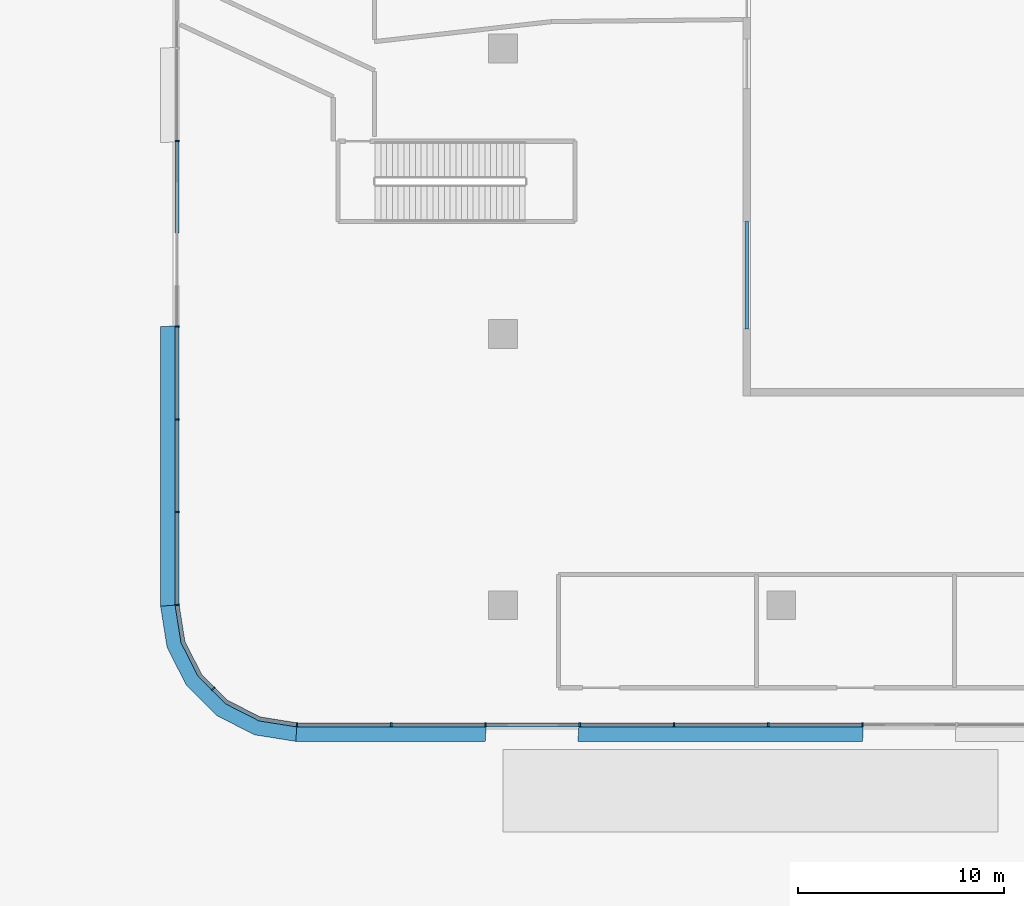
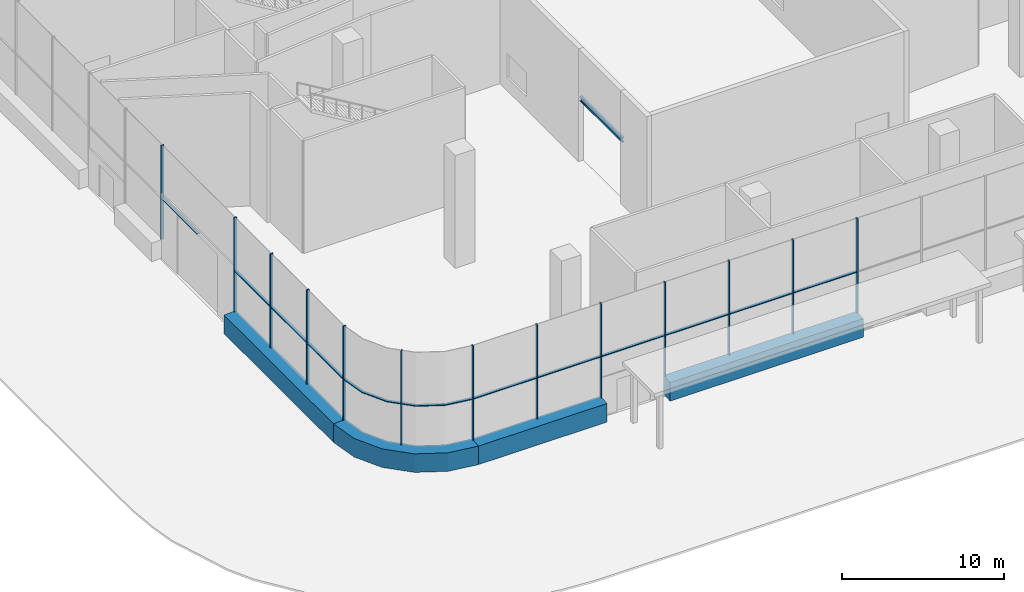
# One storey, part 2 of 54: 29 members, 1 beam, 3 elements without a shape of their own.
"""IFC4 building model written with IfcOpenShell, lengths in metres."""

from ifc_helpers import new_model, si_unit, direction, frame, origin, origin_2d, place, context, subcontext, project, spatial, polyline, rectangle, i_section, outline, extrude, material, layer, layer_set, material_profile, profile_set, type_object, element, aggregate, save


model = new_model("IFC4")

# Units and contexts
model_context = context("Model", 3, precision=1e-05, world=origin(), true_north=direction((0.0, 1.0)))
body_context = subcontext(model_context, "Body", "Model", "MODEL_VIEW")
ifc_project = project(units=[si_unit("LENGTHUNIT", "METRE"), si_unit("AREAUNIT", "SQUARE_METRE"), si_unit("VOLUMEUNIT", "CUBIC_METRE"), si_unit("PLANEANGLEUNIT", "RADIAN"), si_unit("MASSUNIT", "GRAM", prefix="KILO")], contexts=[model_context])

# Site, building, storey
site_placement = place(None, origin())
site = spatial("IfcSite", under=ifc_project, at=site_placement, CompositionType="ELEMENT")
building_placement = place(site_placement, origin())
building = spatial("IfcBuilding", under=site, at=building_placement, Name="Tamarind Cross Interchange Tower", CompositionType="ELEMENT")
storey_placement = place(building_placement, origin())
storey = spatial("IfcBuildingStorey", under=building, at=storey_placement, Name="L00", CompositionType="ELEMENT", Elevation=0.0)

# Curtain wall, member
ifc_material_1 = material(Name="Aluminium 6063-T6", Category="aluminium")
ifc_layer = layer(ifc_material_1, 0.199951171875)
ifc_layer_set = layer_set([ifc_layer], Name="Aluminium 6063-T6")
curtain_wall_type = type_object("IfcCurtainWallType", Name="Podium shopfront and station curtain wall", PredefinedType="NOTDEFINED", material=ifc_layer_set)
curtain_wall_1_placement = place(storey_placement, origin())
curtain_wall_1 = element("IfcCurtainWall", 1, at=curtain_wall_1_placement, inside=storey, type_object=curtain_wall_type, Name="CWS-L00-04", PredefinedType="NOTDEFINED")
ifc_material_2 = material(Name="Aluminium and insulated spandrel panel", Category="aluminium")
member_type_1 = type_object("IfcMemberType", Name="Floor-edge blade transom", PredefinedType="USERDEFINED", material=ifc_material_2)
member_1_placement = place(storey_placement, origin())
member_1 = element("IfcMember", 2, at=member_1_placement, type_object=member_type_1, Name="CWT-L00-04-7", ObjectType="TRANSOM", PredefinedType="USERDEFINED", context=body_context, shape_type="SweptSolid", body=[
    extrude(outline(polyline([(-69.699951171875, -40.4423828125), (-69.699951171875, -53.976318359375), (-70.60009765625, -54.047119140625), (-70.60009765625, -40.495361328125), (-69.699951171875, -40.4423828125)])), origin(), (0.0, 0.0, 1.0), 1.39990234375),
])

curtain_wall_2_placement = place(storey_placement, origin())
curtain_wall_2 = element("IfcCurtainWall", 3, at=curtain_wall_2_placement, inside=storey, type_object=curtain_wall_type, Name="CWS-L00-05", PredefinedType="NOTDEFINED")
member_2_placement = place(storey_placement, origin())
member_2 = element("IfcMember", 4, at=member_2_placement, type_object=member_type_1, Name="CWT-L00-05", ObjectType="TRANSOM", PredefinedType="USERDEFINED", context=body_context, shape_type="SweptSolid", body=[
    extrude(outline(polyline([(-69.699951171875, -53.976318359375), (-69.41748046875, -55.76025390625), (-68.6083984375, -57.34814453125), (-67.34814453125, -58.6083984375), (-65.76025390625, -59.41748046875), (-63.976318359375, -59.699951171875), (-64.047119140625, -60.60009765625), (-66.041748046875, -60.2841796875), (-67.8837890625, -59.345458984375), (-69.345458984375, -57.8837890625), (-70.2841796875, -56.041748046875), (-70.60009765625, -54.047119140625), (-69.699951171875, -53.976318359375)])), origin(), (0.0, 0.0, 1.0), 1.39990234375),
])

# Curtain wall, members
curtain_wall_3_placement = place(storey_placement, origin())
curtain_wall_3 = element("IfcCurtainWall", 5, at=curtain_wall_3_placement, inside=storey, type_object=curtain_wall_type, Name="CWS-L00-06", PredefinedType="NOTDEFINED")
member_3_placement = place(storey_placement, origin())
member_3 = element("IfcMember", 6, at=member_3_placement, type_object=member_type_1, Name="CWT-L00-06-0", ObjectType="TRANSOM", PredefinedType="USERDEFINED", context=body_context, shape_type="SweptSolid", body=[
    extrude(outline(polyline([(-63.976318359375, -59.699951171875), (-54.796875, -59.699951171875), (-54.857666015625, -60.60009765625), (-64.047119140625, -60.60009765625), (-63.976318359375, -59.699951171875)])), origin(), (0.0, 0.0, 1.0), 1.39990234375),
])
member_4_placement = place(storey_placement, origin())
member_4 = element("IfcMember", 7, at=member_4_placement, type_object=member_type_1, Name="CWT-L00-06-1", ObjectType="TRANSOM", PredefinedType="USERDEFINED", context=body_context, shape_type="SweptSolid", body=[
    extrude(outline(polyline([(-50.30712890625, -59.699951171875), (-36.51806640625, -59.699951171875), (-36.558349609375, -60.60009765625), (-50.36279296875, -60.60009765625), (-50.30712890625, -59.699951171875)])), origin(), (0.0, 0.0, 1.0), 1.39990234375),
])

# Member
ifc_material_profile_1 = material_profile(ifc_material_1, rectangle(XDim=0.080078125, YDim=0.199951171875, at=origin_2d()), Name="Mullion CW3")
ifc_profile_set_1 = profile_set([ifc_material_profile_1], Name="Aluminium 6063-T6")
member_type_2 = type_object("IfcMemberType", Name="Mullion CW3", PredefinedType="MULLION", material=ifc_profile_set_1)
member_5_placement = place(storey_placement, frame((-69.800048828125, -31.49072265625, 1.39990234375), z_axis=(0.0, 0.0, 1.0), x_axis=(0.0, -1.0, 0.0)))
member_5 = element("IfcMember", 8, at=member_5_placement, type_object=member_type_2, Name="CWM-L00-04-19", PredefinedType="MULLION", context=body_context, shape_type="SweptSolid", body=[
    extrude(rectangle(XDim=0.080078125, YDim=0.199951171875, at=origin_2d()), origin(), (0.0, 0.0, 1.0), 7.10009765625),
])

member_6_placement = place(storey_placement, frame((-69.800048828125, -40.48828125, 1.39990234375), z_axis=(0.0, 0.0, 1.0), x_axis=(0.0, -1.0, 0.0)))
member_6 = element("IfcMember", 9, at=member_6_placement, type_object=member_type_2, Name="CWM-L00-04-21", PredefinedType="MULLION", context=body_context, shape_type="SweptSolid", body=[
    extrude(rectangle(XDim=0.080078125, YDim=0.199951171875, at=origin_2d()), origin(), (0.0, 0.0, 1.0), 7.10009765625),
])

member_7_placement = place(storey_placement, frame((-69.800048828125, -44.98681640625, 1.39990234375), z_axis=(0.0, 0.0, 1.0), x_axis=(0.0, -1.0, 0.0)))
member_7 = element("IfcMember", 10, at=member_7_placement, type_object=member_type_2, Name="CWM-L00-04-22", PredefinedType="MULLION", context=body_context, shape_type="SweptSolid", body=[
    extrude(rectangle(XDim=0.080078125, YDim=0.199951171875, at=origin_2d()), origin(), (0.0, 0.0, 1.0), 7.10009765625),
])

member_8_placement = place(storey_placement, frame((-69.800048828125, -49.485595703125, 1.39990234375), z_axis=(0.0, 0.0, 1.0), x_axis=(0.0, -1.0, 0.0)))
member_8 = element("IfcMember", 11, at=member_8_placement, type_object=member_type_2, Name="CWM-L00-04-23", PredefinedType="MULLION", context=body_context, shape_type="SweptSolid", body=[
    extrude(rectangle(XDim=0.080078125, YDim=0.199951171875, at=origin_2d()), origin(), (0.0, 0.0, 1.0), 7.10009765625),
])

member_9_placement = place(storey_placement, frame((-69.800048828125, -53.984375, 1.39990234375), z_axis=(0.0, 0.0, 1.0), x_axis=(0.078459095728, -0.996917333733, 0.0)))
member_9 = element("IfcMember", 12, at=member_9_placement, type_object=member_type_2, Name="CWM-L00-05-00", PredefinedType="MULLION", context=body_context, shape_type="SweptSolid", body=[
    extrude(rectangle(XDim=0.080078125, YDim=0.199951171875, at=origin_2d()), origin(), (0.0, 0.0, 1.0), 7.10009765625),
])

member_10_placement = place(storey_placement, frame((-68.049072265625, -58.049072265625, 1.39990234375), z_axis=(0.0, 0.0, 1.0), x_axis=(0.707106781187, -0.707106781187, 0.0)))
member_10 = element("IfcMember", 13, at=member_10_placement, type_object=member_type_2, Name="CWM-L00-05-01", PredefinedType="MULLION", context=body_context, shape_type="SweptSolid", body=[
    extrude(rectangle(XDim=0.080078125, YDim=0.199951171875, at=origin_2d()), origin(), (0.0, 0.0, 1.0), 7.10009765625),
])

member_11_placement = place(storey_placement, frame((-63.984375, -59.800048828125, 1.39990234375), z_axis=(0.0, 0.0, 1.0), x_axis=(0.996917333733, -0.078459095728, 0.0)))
member_11 = element("IfcMember", 14, at=member_11_placement, type_object=member_type_2, Name="CWM-L00-06-00", PredefinedType="MULLION", context=body_context, shape_type="SweptSolid", body=[
    extrude(rectangle(XDim=0.080078125, YDim=0.199951171875, at=origin_2d()), origin(), (0.0, 0.0, 1.0), 7.10009765625),
])

member_12_placement = place(storey_placement, frame((-59.4140625, -59.800048828125, 1.39990234375), z_axis=(0.0, 0.0, 1.0), x_axis=(1.0, 0.0, 0.0)))
member_12 = element("IfcMember", 15, at=member_12_placement, type_object=member_type_2, Name="CWM-L00-06-01", PredefinedType="MULLION", context=body_context, shape_type="SweptSolid", body=[
    extrude(rectangle(XDim=0.080078125, YDim=0.199951171875, at=origin_2d()), origin(), (0.0, 0.0, 1.0), 7.10009765625),
])

member_13_placement = place(storey_placement, frame((-54.84375, -59.800048828125, 1.39990234375), z_axis=(0.0, 0.0, 1.0), x_axis=(1.0, 0.0, 0.0)))
member_13 = element("IfcMember", 16, at=member_13_placement, type_object=member_type_2, Name="CWM-L00-06-02", PredefinedType="MULLION", context=body_context, shape_type="SweptSolid", body=[
    extrude(rectangle(XDim=0.080078125, YDim=0.199951171875, at=origin_2d()), origin(), (0.0, 0.0, 1.0), 7.10009765625),
])

member_14_placement = place(storey_placement, frame((-50.2734375, -59.800048828125, 1.39990234375), z_axis=(0.0, 0.0, 1.0), x_axis=(1.0, 0.0, 0.0)))
member_14 = element("IfcMember", 17, at=member_14_placement, type_object=member_type_2, Name="CWM-L00-06-03", PredefinedType="MULLION", context=body_context, shape_type="SweptSolid", body=[
    extrude(rectangle(XDim=0.080078125, YDim=0.199951171875, at=origin_2d()), origin(), (0.0, 0.0, 1.0), 7.10009765625),
])

member_15_placement = place(storey_placement, frame((-45.703125, -59.800048828125, 1.39990234375), z_axis=(0.0, 0.0, 1.0), x_axis=(1.0, 0.0, 0.0)))
member_15 = element("IfcMember", 18, at=member_15_placement, type_object=member_type_2, Name="CWM-L00-06-04", PredefinedType="MULLION", context=body_context, shape_type="SweptSolid", body=[
    extrude(rectangle(XDim=0.080078125, YDim=0.199951171875, at=origin_2d()), origin(), (0.0, 0.0, 1.0), 7.10009765625),
])

member_16_placement = place(storey_placement, frame((-41.1328125, -59.800048828125, 1.39990234375), z_axis=(0.0, 0.0, 1.0), x_axis=(1.0, 0.0, 0.0)))
member_16 = element("IfcMember", 19, at=member_16_placement, type_object=member_type_2, Name="CWM-L00-06-05", PredefinedType="MULLION", context=body_context, shape_type="SweptSolid", body=[
    extrude(rectangle(XDim=0.080078125, YDim=0.199951171875, at=origin_2d()), origin(), (0.0, 0.0, 1.0), 7.10009765625),
])

member_17_placement = place(storey_placement, frame((-36.5625, -59.800048828125, 1.39990234375), z_axis=(0.0, 0.0, 1.0), x_axis=(1.0, 0.0, 0.0)))
member_17 = element("IfcMember", 20, at=member_17_placement, type_object=member_type_2, Name="CWM-L00-06-06", PredefinedType="MULLION", context=body_context, shape_type="SweptSolid", body=[
    extrude(rectangle(XDim=0.080078125, YDim=0.199951171875, at=origin_2d()), origin(), (0.0, 0.0, 1.0), 7.10009765625),
])

member_type_3 = type_object("IfcMemberType", Name="Podium intermediate transom", PredefinedType="USERDEFINED", material=ifc_material_1)
member_18_placement = place(storey_placement, frame((0.0, 0.0, 4.469970703125)))
member_18 = element("IfcMember", 21, at=member_18_placement, type_object=member_type_3, Name="CWT-L00-04-I0-19", ObjectType="TRANSOM", PredefinedType="USERDEFINED", context=body_context, shape_type="SweptSolid", body=[
    extrude(outline(polyline([(-69.699951171875, -31.53076171875), (-69.699951171875, -35.949462890625), (-69.89990234375, -35.949462890625), (-69.89990234375, -31.53076171875), (-69.699951171875, -31.53076171875)])), origin(), (0.0, 0.0, 1.0), 0.06005859375),
])

member_19_placement = place(storey_placement, frame((0.0, 0.0, 4.469970703125)))
member_19 = element("IfcMember", 22, at=member_19_placement, type_object=member_type_3, Name="CWT-L00-04-I0-21", ObjectType="TRANSOM", PredefinedType="USERDEFINED", context=body_context, shape_type="SweptSolid", body=[
    extrude(outline(polyline([(-69.699951171875, -40.528076171875), (-69.699951171875, -44.94677734375), (-69.89990234375, -44.94677734375), (-69.89990234375, -40.528076171875), (-69.699951171875, -40.528076171875)])), origin(), (0.0, 0.0, 1.0), 0.06005859375),
])

member_20_placement = place(storey_placement, frame((0.0, 0.0, 4.469970703125)))
member_20 = element("IfcMember", 23, at=member_20_placement, type_object=member_type_3, Name="CWT-L00-04-I0-22", ObjectType="TRANSOM", PredefinedType="USERDEFINED", context=body_context, shape_type="SweptSolid", body=[
    extrude(outline(polyline([(-69.699951171875, -45.02685546875), (-69.699951171875, -49.445556640625), (-69.89990234375, -49.445556640625), (-69.89990234375, -45.02685546875), (-69.699951171875, -45.02685546875)])), origin(), (0.0, 0.0, 1.0), 0.06005859375),
])

member_21_placement = place(storey_placement, frame((0.0, 0.0, 4.469970703125)))
member_21 = element("IfcMember", 24, at=member_21_placement, type_object=member_type_3, Name="CWT-L00-04-I0-23", ObjectType="TRANSOM", PredefinedType="USERDEFINED", context=body_context, shape_type="SweptSolid", body=[
    extrude(outline(polyline([(-69.699951171875, -49.525634765625), (-69.699951171875, -53.9443359375), (-69.89990234375, -53.9443359375), (-69.89990234375, -49.525634765625), (-69.699951171875, -49.525634765625)])), origin(), (0.0, 0.0, 1.0), 0.06005859375),
])

aggregate(curtain_wall_1, [member_5, member_6, member_7, member_8, member_18, member_19, member_20, member_21, member_1])

member_22_placement = place(storey_placement, frame((0.0, 0.0, 4.469970703125)))
member_22 = element("IfcMember", 25, at=member_22_placement, type_object=member_type_3, Name="CWT-L00-05-I0-00", ObjectType="TRANSOM", PredefinedType="USERDEFINED", context=body_context, shape_type="SweptSolid", body=[
    extrude(outline(polyline([(-69.695068359375, -54.008056640625), (-69.41748046875, -55.76025390625), (-68.6083984375, -57.34814453125), (-68.006591796875, -57.949951171875), (-68.14794921875, -58.09130859375), (-68.772216796875, -57.46728515625), (-69.610107421875, -55.82275390625), (-69.892578125, -54.039306640625), (-69.695068359375, -54.008056640625)])), origin(), (0.0, 0.0, 1.0), 0.06005859375),
])

member_23_placement = place(storey_placement, frame((0.0, 0.0, 4.469970703125)))
member_23 = element("IfcMember", 26, at=member_23_placement, type_object=member_type_3, Name="CWT-L00-05-I0-01", ObjectType="TRANSOM", PredefinedType="USERDEFINED", context=body_context, shape_type="SweptSolid", body=[
    extrude(outline(polyline([(-67.949951171875, -58.006591796875), (-67.34814453125, -58.6083984375), (-65.76025390625, -59.41748046875), (-64.008056640625, -59.695068359375), (-64.039306640625, -59.892578125), (-65.82275390625, -59.610107421875), (-67.46728515625, -58.772216796875), (-68.09130859375, -58.14794921875), (-67.949951171875, -58.006591796875)])), origin(), (0.0, 0.0, 1.0), 0.06005859375),
])

aggregate(curtain_wall_2, [member_9, member_10, member_22, member_23, member_2])

member_24_placement = place(storey_placement, frame((0.0, 0.0, 4.469970703125)))
member_24 = element("IfcMember", 27, at=member_24_placement, type_object=member_type_3, Name="CWT-L00-06-I0-00", ObjectType="TRANSOM", PredefinedType="USERDEFINED", context=body_context, shape_type="SweptSolid", body=[
    extrude(outline(polyline([(-63.9443359375, -59.699951171875), (-59.453857421875, -59.699951171875), (-59.453857421875, -59.89990234375), (-63.9443359375, -59.89990234375), (-63.9443359375, -59.699951171875)])), origin(), (0.0, 0.0, 1.0), 0.06005859375),
])

member_25_placement = place(storey_placement, frame((0.0, 0.0, 4.469970703125)))
member_25 = element("IfcMember", 28, at=member_25_placement, type_object=member_type_3, Name="CWT-L00-06-I0-01", ObjectType="TRANSOM", PredefinedType="USERDEFINED", context=body_context, shape_type="SweptSolid", body=[
    extrude(outline(polyline([(-59.3740234375, -59.699951171875), (-54.883544921875, -59.699951171875), (-54.883544921875, -59.89990234375), (-59.3740234375, -59.89990234375), (-59.3740234375, -59.699951171875)])), origin(), (0.0, 0.0, 1.0), 0.06005859375),
])

member_26_placement = place(storey_placement, frame((0.0, 0.0, 4.469970703125)))
member_26 = element("IfcMember", 29, at=member_26_placement, type_object=member_type_3, Name="CWT-L00-06-I0-02", ObjectType="TRANSOM", PredefinedType="USERDEFINED", context=body_context, shape_type="SweptSolid", body=[
    extrude(outline(polyline([(-54.8037109375, -59.699951171875), (-50.313232421875, -59.699951171875), (-50.313232421875, -59.89990234375), (-54.8037109375, -59.89990234375), (-54.8037109375, -59.699951171875)])), origin(), (0.0, 0.0, 1.0), 0.06005859375),
])

member_27_placement = place(storey_placement, frame((0.0, 0.0, 4.469970703125)))
member_27 = element("IfcMember", 30, at=member_27_placement, type_object=member_type_3, Name="CWT-L00-06-I0-03", ObjectType="TRANSOM", PredefinedType="USERDEFINED", context=body_context, shape_type="SweptSolid", body=[
    extrude(outline(polyline([(-50.2333984375, -59.699951171875), (-45.7431640625, -59.699951171875), (-45.7431640625, -59.89990234375), (-50.2333984375, -59.89990234375), (-50.2333984375, -59.699951171875)])), origin(), (0.0, 0.0, 1.0), 0.06005859375),
])

member_28_placement = place(storey_placement, frame((0.0, 0.0, 4.469970703125)))
member_28 = element("IfcMember", 31, at=member_28_placement, type_object=member_type_3, Name="CWT-L00-06-I0-04", ObjectType="TRANSOM", PredefinedType="USERDEFINED", context=body_context, shape_type="SweptSolid", body=[
    extrude(outline(polyline([(-45.6630859375, -59.699951171875), (-41.1728515625, -59.699951171875), (-41.1728515625, -59.89990234375), (-45.6630859375, -59.89990234375), (-45.6630859375, -59.699951171875)])), origin(), (0.0, 0.0, 1.0), 0.06005859375),
])

member_29_placement = place(storey_placement, frame((0.0, 0.0, 4.469970703125)))
member_29 = element("IfcMember", 32, at=member_29_placement, type_object=member_type_3, Name="CWT-L00-06-I0-05", ObjectType="TRANSOM", PredefinedType="USERDEFINED", context=body_context, shape_type="SweptSolid", body=[
    extrude(outline(polyline([(-41.0927734375, -59.699951171875), (-36.6025390625, -59.699951171875), (-36.6025390625, -59.89990234375), (-41.0927734375, -59.89990234375), (-41.0927734375, -59.699951171875)])), origin(), (0.0, 0.0, 1.0), 0.06005859375),
])

aggregate(curtain_wall_3, [member_11, member_12, member_13, member_14, member_15, member_16, member_17, member_24, member_25, member_26, member_27, member_28, member_29, member_3, member_4])

# Beam
ifc_material_3 = material(Name="Steel Q355B", Category="steel")
ifc_material_profile_2 = material_profile(ifc_material_3, i_section(OverallWidth=0.174072265625, OverallDepth=0.345947265625, WebThickness=0.006103515625, FlangeThickness=0.009033203125, FilletRadius=0.012939453125, at=origin_2d()), Name="HN 346x174x6x9")
ifc_profile_set_2 = profile_set([ifc_material_profile_2], Name="Steel Q355B")
beam_type = type_object("IfcBeamType", Name="Portal lintel beam HN 346x174x6x9 Q355B", PredefinedType="BEAM", material=ifc_profile_set_2)
beam_placement = place(storey_placement, frame((-42.175048828125, -40.60009765625, 4.72705078125), z_axis=(0.0, 1.0, 0.0), x_axis=(-1.0, 0.0, 0.0)))
element("IfcBeam", 33, at=beam_placement, inside=storey, type_object=beam_type, Name="Lintel over the SW fire lane portal", PredefinedType="BEAM", context=body_context, shape_type="SweptSolid", body=[
    extrude(i_section(OverallWidth=0.174072265625, OverallDepth=0.345947265625, WebThickness=0.006103515625, FlangeThickness=0.009033203125, FilletRadius=0.012939453125, at=origin_2d()), origin(), (0.0, 0.0, 1.0), 5.2001953125),
])

save(model, "model.ifc")
